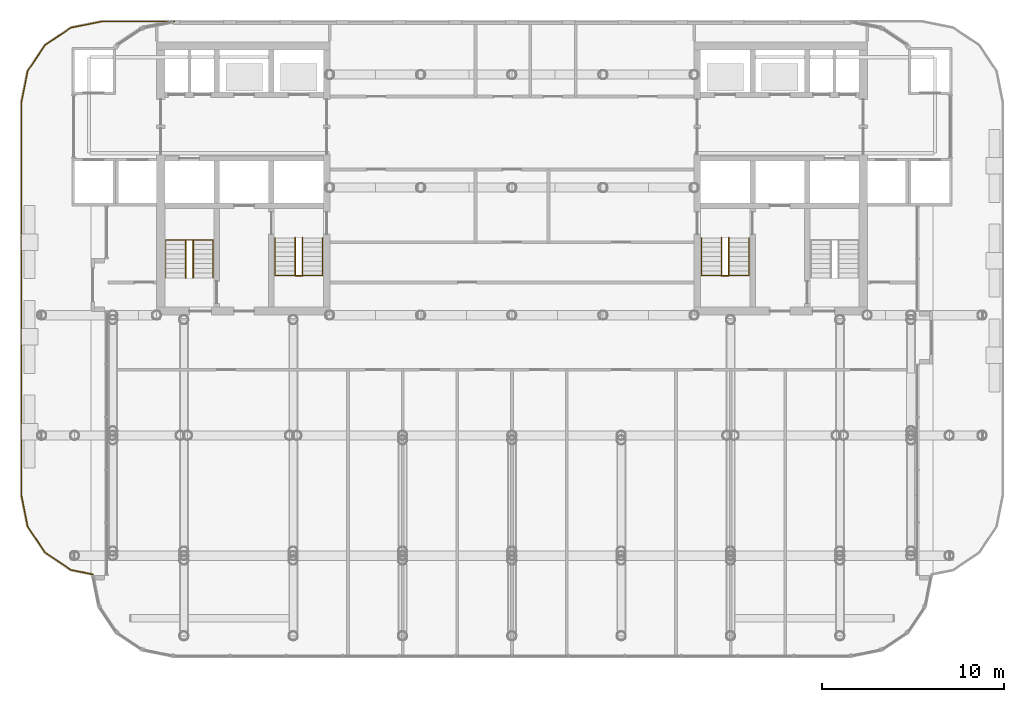
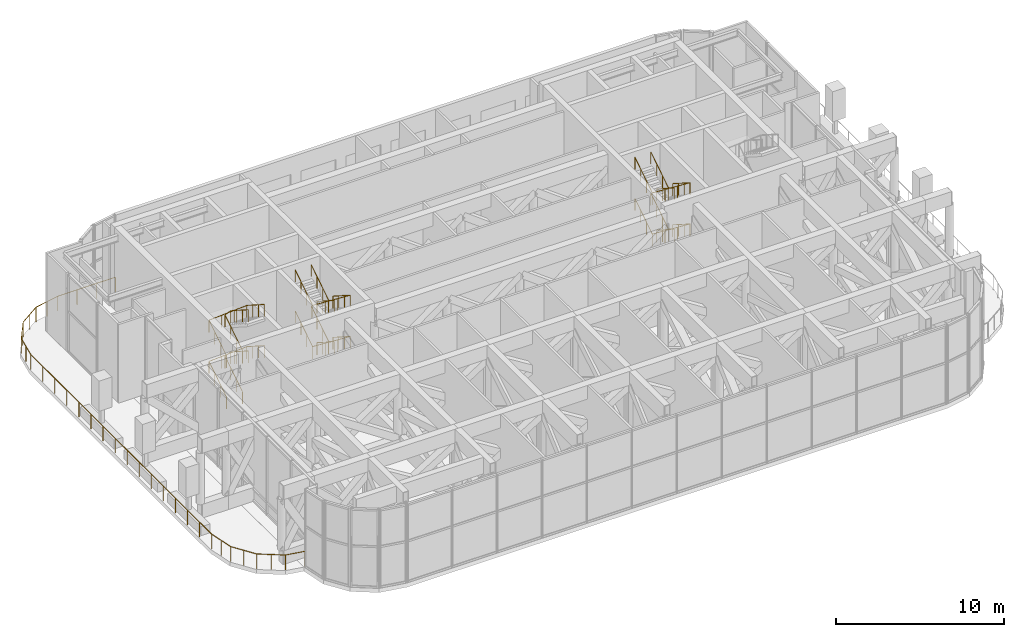
# One storey, part 18 of 21: 13 railings.
"""IFC4 building model written with IfcOpenShell, lengths in metres."""

from ifc_helpers import new_model, si_unit, direction, frame, origin, origin_2d, place, context, subcontext, project, spatial, circle, extrude, material, type_object, element, save


model = new_model("IFC4")

# Units and contexts
model_context = context("Model", 3, precision=1e-05, world=origin(), true_north=direction((0.0, 1.0)))
body_context = subcontext(model_context, "Body", "Model", "MODEL_VIEW")
ifc_project = project(units=[si_unit("LENGTHUNIT", "METRE"), si_unit("AREAUNIT", "SQUARE_METRE"), si_unit("VOLUMEUNIT", "CUBIC_METRE"), si_unit("PLANEANGLEUNIT", "RADIAN"), si_unit("MASSUNIT", "GRAM", prefix="KILO")], contexts=[model_context])

# Site, building, storey
site_placement = place(None, origin())
site = spatial("IfcSite", under=ifc_project, at=site_placement, CompositionType="ELEMENT")
building_placement = place(site_placement, origin())
building = spatial("IfcBuilding", under=site, at=building_placement, Name="Torana Hotel and Residences", CompositionType="ELEMENT")
storey_placement = place(building_placement, frame((0.0, 0.0, 246.60009765625)))
storey = spatial("IfcBuildingStorey", under=building, at=storey_placement, Name="L65", CompositionType="ELEMENT", Elevation=246.60009765625)

# Railings
ifc_material_1 = material(Name="Laminated glass balustrade with black handrail", Category="glass")
railing_type_1 = type_object("IfcRailingType", Name="GR1 BALCONY GUARD 1100 GLASS", PredefinedType="GUARDRAIL", material=ifc_material_1)
railing_1_placement = place(storey_placement, frame((-23.0068359375, -29.217529296875, 0.0)))
element("IfcRailing", 1, at=railing_1_placement, inside=storey, type_object=railing_type_1, Name="Terrace guard L65 2", PredefinedType="GUARDRAIL", context=body_context, shape_type="SweptSolid", body=[
    extrude(circle(Radius=0.02392578125, at=origin_2d()), frame((0.0, 0.0, 1.076171875), z_axis=(-0.980813323397, 0.194949287372, 0.0), x_axis=(-0.194949287372, -0.980813323397, 0.0)), (0.0, 0.0, 1.0), 1.207275390625),
    extrude(circle(Radius=0.02392578125, at=origin_2d()), frame((-1.18408203125, 0.2353515625, 1.076171875), z_axis=(-0.831461551283, 0.555582296999, 0.0), x_axis=(-0.555582296999, -0.831461551283, 0.0)), (0.0, 0.0, 1.0), 1.723876953125),
    extrude(circle(Radius=0.02392578125, at=origin_2d()), frame((-2.617431640625, 1.193115234375, 1.076171875), z_axis=(-0.555516881458, 0.831505258201, 0.0), x_axis=(-0.831505258201, -0.555516881458, 0.0)), (0.0, 0.0, 1.0), 1.72412109375),
    extrude(circle(Radius=0.02392578125, at=origin_2d()), frame((-3.5751953125, 2.626708984375, 1.076171875), z_axis=(-0.195085948833, 0.980786150273, 0.0), x_axis=(-0.980786150273, -0.195085948833, 0.0)), (0.0, 0.0, 1.0), 1.73193359375),
    extrude(circle(Radius=0.02392578125, at=origin_2d()), frame((-3.9130859375, 4.325439453125, 1.076171875), z_axis=(0.0, 1.0, 0.0), x_axis=(-1.0, 0.0, 0.0)), (0.0, 0.0, 1.0), 21.584228515625),
    extrude(circle(Radius=0.02392578125, at=origin_2d()), frame((-3.9130859375, 25.90966796875, 1.076171875), z_axis=(0.195085948833, 0.980786150273, 0.0), x_axis=(-0.980786150273, 0.195085948833, 0.0)), (0.0, 0.0, 1.0), 1.73193359375),
    extrude(circle(Radius=0.02392578125, at=origin_2d()), frame((-3.5751953125, 27.6083984375, 1.076171875), z_axis=(0.555582296999, 0.831461551283, 0.0), x_axis=(-0.831461551283, 0.555582296999, 0.0)), (0.0, 0.0, 1.0), 1.723876953125),
    extrude(circle(Radius=0.02392578125, at=origin_2d()), frame((-2.617431640625, 29.041748046875, 1.076171875), z_axis=(0.831461551283, 0.555582296999, 0.0), x_axis=(-0.555582296999, 0.831461551283, 0.0)), (0.0, 0.0, 1.0), 1.723876953125),
    extrude(circle(Radius=0.02392578125, at=origin_2d()), frame((-1.18408203125, 29.99951171875, 1.076171875), z_axis=(0.980759171067, 0.195221536638, 0.0), x_axis=(-0.195221536638, 0.980759171067, 0.0)), (0.0, 0.0, 1.0), 1.732177734375),
    extrude(circle(Radius=0.02392578125, at=origin_2d()), frame((0.5146484375, 30.337646484375, 1.076171875), z_axis=(1.0, 0.0, 0.0), x_axis=(0.0, 1.0, 0.0)), (0.0, 0.0, 1.0), 3.967041015625),
    extrude(circle(Radius=0.02099609375, at=origin_2d()), origin(), (0.0, 0.0, 1.0), 1.052001953125),
    extrude(circle(Radius=0.02099609375, at=origin_2d()), frame((-1.18408203125, 0.2353515625, 0.0)), (0.0, 0.0, 1.0), 1.052001953125),
    extrude(circle(Radius=0.02099609375, at=origin_2d()), frame((-1.90087890625, 0.71435546875, 0.0)), (0.0, 0.0, 1.0), 1.052001953125),
    extrude(circle(Radius=0.02099609375, at=origin_2d()), frame((-2.617431640625, 1.193115234375, 0.0)), (0.0, 0.0, 1.0), 1.052001953125),
    extrude(circle(Radius=0.02099609375, at=origin_2d()), frame((-3.09619140625, 1.909912109375, 0.0)), (0.0, 0.0, 1.0), 1.052001953125),
    extrude(circle(Radius=0.02099609375, at=origin_2d()), frame((-3.5751953125, 2.626708984375, 0.0)), (0.0, 0.0, 1.0), 1.052001953125),
    extrude(circle(Radius=0.02099609375, at=origin_2d()), frame((-3.744140625, 3.47607421875, 0.0)), (0.0, 0.0, 1.0), 1.052001953125),
    extrude(circle(Radius=0.02099609375, at=origin_2d()), frame((-3.9130859375, 4.325439453125, 0.0)), (0.0, 0.0, 1.0), 1.052001953125),
    extrude(circle(Radius=0.02099609375, at=origin_2d()), frame((-3.9130859375, 5.764404296875, 0.0)), (0.0, 0.0, 1.0), 1.052001953125),
    extrude(circle(Radius=0.02099609375, at=origin_2d()), frame((-3.9130859375, 7.203369140625, 0.0)), (0.0, 0.0, 1.0), 1.052001953125),
    extrude(circle(Radius=0.02099609375, at=origin_2d()), frame((-3.9130859375, 8.642333984375, 0.0)), (0.0, 0.0, 1.0), 1.052001953125),
    extrude(circle(Radius=0.02099609375, at=origin_2d()), frame((-3.9130859375, 10.081298828125, 0.0)), (0.0, 0.0, 1.0), 1.052001953125),
    extrude(circle(Radius=0.02099609375, at=origin_2d()), frame((-3.9130859375, 11.520263671875, 0.0)), (0.0, 0.0, 1.0), 1.052001953125),
    extrude(circle(Radius=0.02099609375, at=origin_2d()), frame((-3.9130859375, 12.959228515625, 0.0)), (0.0, 0.0, 1.0), 1.052001953125),
    extrude(circle(Radius=0.02099609375, at=origin_2d()), frame((-3.9130859375, 14.398193359375, 0.0)), (0.0, 0.0, 1.0), 1.052001953125),
    extrude(circle(Radius=0.02099609375, at=origin_2d()), frame((-3.9130859375, 15.8369140625, 0.0)), (0.0, 0.0, 1.0), 1.052001953125),
    extrude(circle(Radius=0.02099609375, at=origin_2d()), frame((-3.9130859375, 17.27587890625, 0.0)), (0.0, 0.0, 1.0), 1.052001953125),
    extrude(circle(Radius=0.02099609375, at=origin_2d()), frame((-3.9130859375, 18.71484375, 0.0)), (0.0, 0.0, 1.0), 1.052001953125),
    extrude(circle(Radius=0.02099609375, at=origin_2d()), frame((-3.9130859375, 20.15380859375, 0.0)), (0.0, 0.0, 1.0), 1.052001953125),
    extrude(circle(Radius=0.02099609375, at=origin_2d()), frame((-3.9130859375, 21.5927734375, 0.0)), (0.0, 0.0, 1.0), 1.052001953125),
    extrude(circle(Radius=0.02099609375, at=origin_2d()), frame((-3.9130859375, 23.03173828125, 0.0)), (0.0, 0.0, 1.0), 1.052001953125),
    extrude(circle(Radius=0.02099609375, at=origin_2d()), frame((-3.9130859375, 24.470703125, 0.0)), (0.0, 0.0, 1.0), 1.052001953125),
    extrude(circle(Radius=0.02099609375, at=origin_2d()), frame((-3.9130859375, 25.90966796875, 0.0)), (0.0, 0.0, 1.0), 1.052001953125),
    extrude(circle(Radius=0.02099609375, at=origin_2d()), frame((-3.744140625, 26.759033203125, 0.0)), (0.0, 0.0, 1.0), 1.052001953125),
    extrude(circle(Radius=0.02099609375, at=origin_2d()), frame((-3.5751953125, 27.6083984375, 0.0)), (0.0, 0.0, 1.0), 1.052001953125),
    extrude(circle(Radius=0.02099609375, at=origin_2d()), frame((-3.09619140625, 28.3251953125, 0.0)), (0.0, 0.0, 1.0), 1.052001953125),
    extrude(circle(Radius=0.02099609375, at=origin_2d()), frame((-2.617431640625, 29.041748046875, 0.0)), (0.0, 0.0, 1.0), 1.052001953125),
    extrude(circle(Radius=0.02099609375, at=origin_2d()), frame((-1.90087890625, 29.5205078125, 0.0)), (0.0, 0.0, 1.0), 1.052001953125),
    extrude(circle(Radius=0.02099609375, at=origin_2d()), frame((-1.18408203125, 29.99951171875, 0.0)), (0.0, 0.0, 1.0), 1.052001953125),
    extrude(circle(Radius=0.02099609375, at=origin_2d()), frame((-0.334716796875, 30.16845703125, 0.0)), (0.0, 0.0, 1.0), 1.052001953125),
    extrude(circle(Radius=0.02099609375, at=origin_2d()), frame((0.5146484375, 30.337646484375, 0.0)), (0.0, 0.0, 1.0), 1.052001953125),
    extrude(circle(Radius=0.02099609375, at=origin_2d()), frame((1.8369140625, 30.337646484375, 0.0)), (0.0, 0.0, 1.0), 1.052001953125),
    extrude(circle(Radius=0.02099609375, at=origin_2d()), frame((3.159423828125, 30.337646484375, 0.0)), (0.0, 0.0, 1.0), 1.052001953125),
    extrude(circle(Radius=0.02099609375, at=origin_2d()), frame((4.481689453125, 30.337646484375, 0.0)), (0.0, 0.0, 1.0), 1.052001953125),
])
ifc_material_2 = material(Name="Stainless steel 316", Category="steel")
railing_type_2 = type_object("IfcRailingType", Name="STAIR HANDRAIL HR1 900", PredefinedType="HANDRAIL", material=ifc_material_2)
railing_2_placement = place(storey_placement, frame((-10.39990234375, -10.75, 0.16650390625)))
element("IfcRailing", 2, at=railing_2_placement, inside=storey, type_object=railing_type_2, Name="Handrail ST1 L65 O1", PredefinedType="HANDRAIL", context=body_context, shape_type="SweptSolid", body=[
    extrude(circle(Radius=0.02392578125, at=origin_2d()), frame((0.0, 0.0, 0.8759765625), z_axis=(0.0, -0.841858418701, 0.539698436965), x_axis=(1.0, 0.0, 0.0)), (0.0, 0.0, 1.0), 2.470703125),
    extrude(circle(Radius=0.02392578125, at=origin_2d()), frame((0.0, -2.080078125, 2.20947265625), z_axis=(-0.997955880303, 0.0, 0.06390665825), x_axis=(0.0, -1.0, 0.0)), (0.0, 0.0, 1.0), 2.60546875),
    extrude(circle(Radius=0.02392578125, at=origin_2d()), frame((-2.60009765625, -2.080078125, 2.3759765625), z_axis=(0.0, 0.841858418701, 0.539698436965), x_axis=(-1.0, 0.0, 0.0)), (0.0, 0.0, 1.0), 2.470703125),
    extrude(circle(Radius=0.02099609375, at=origin_2d()), origin(), (0.0, 0.0, 1.0), 0.851806640625),
    extrude(circle(Radius=0.02099609375, at=origin_2d()), frame((0.0, -0.693359375, 0.444580078125)), (0.0, 0.0, 1.0), 0.851806640625),
    extrude(circle(Radius=0.02099609375, at=origin_2d()), frame((0.0, -1.38671875, 0.888916015625)), (0.0, 0.0, 1.0), 0.851806640625),
    extrude(circle(Radius=0.02099609375, at=origin_2d()), frame((0.0, -2.080078125, 1.33349609375)), (0.0, 0.0, 1.0), 0.851806640625),
    extrude(circle(Radius=0.02099609375, at=origin_2d()), frame((-0.86669921875, -2.080078125, 1.388916015625)), (0.0, 0.0, 1.0), 0.851806640625),
    extrude(circle(Radius=0.02099609375, at=origin_2d()), frame((-1.7333984375, -2.080078125, 1.444580078125)), (0.0, 0.0, 1.0), 0.851806640625),
    extrude(circle(Radius=0.02099609375, at=origin_2d()), frame((-2.60009765625, -2.080078125, 1.5)), (0.0, 0.0, 1.0), 0.851806640625),
    extrude(circle(Radius=0.02099609375, at=origin_2d()), frame((-2.60009765625, -1.38671875, 1.944580078125)), (0.0, 0.0, 1.0), 0.851806640625),
    extrude(circle(Radius=0.02099609375, at=origin_2d()), frame((-2.60009765625, -0.693359375, 2.388916015625)), (0.0, 0.0, 1.0), 0.851806640625),
    extrude(circle(Radius=0.02099609375, at=origin_2d()), frame((-2.60009765625, 0.0, 2.83349609375)), (0.0, 0.0, 1.0), 0.851806640625),
])
railing_3_placement = place(storey_placement, frame((-11.5, -10.75, 0.16650390625)))
element("IfcRailing", 3, at=railing_3_placement, inside=storey, type_object=railing_type_2, Name="Handrail ST1 L65 I1", PredefinedType="HANDRAIL", context=body_context, shape_type="SweptSolid", body=[
    extrude(circle(Radius=0.02392578125, at=origin_2d()), frame((0.0, 0.0, 0.8759765625), z_axis=(0.0, -0.841858418701, 0.539698436965), x_axis=(1.0, 0.0, 0.0)), (0.0, 0.0, 1.0), 2.470703125),
    extrude(circle(Radius=0.02392578125, at=origin_2d()), frame((0.0, -2.080078125, 2.20947265625), z_axis=(-0.9231769392, 0.0, 0.384375257957), x_axis=(0.0, -1.0, 0.0)), (0.0, 0.0, 1.0), 0.43310546875),
    extrude(circle(Radius=0.02392578125, at=origin_2d()), frame((-0.39990234375, -2.080078125, 2.3759765625), z_axis=(0.0, 0.841858418701, 0.539698436965), x_axis=(-1.0, 0.0, 0.0)), (0.0, 0.0, 1.0), 2.470703125),
    extrude(circle(Radius=0.02099609375, at=origin_2d()), origin(), (0.0, 0.0, 1.0), 0.851806640625),
    extrude(circle(Radius=0.02099609375, at=origin_2d()), frame((0.0, -0.693359375, 0.444580078125)), (0.0, 0.0, 1.0), 0.851806640625),
    extrude(circle(Radius=0.02099609375, at=origin_2d()), frame((0.0, -1.38671875, 0.888916015625)), (0.0, 0.0, 1.0), 0.851806640625),
    extrude(circle(Radius=0.02099609375, at=origin_2d()), frame((0.0, -2.080078125, 1.33349609375)), (0.0, 0.0, 1.0), 0.851806640625),
    extrude(circle(Radius=0.02099609375, at=origin_2d()), frame((-0.39990234375, -2.080078125, 1.5)), (0.0, 0.0, 1.0), 0.851806640625),
    extrude(circle(Radius=0.02099609375, at=origin_2d()), frame((-0.39990234375, -1.38671875, 1.944580078125)), (0.0, 0.0, 1.0), 0.851806640625),
    extrude(circle(Radius=0.02099609375, at=origin_2d()), frame((-0.39990234375, -0.693359375, 2.388916015625)), (0.0, 0.0, 1.0), 0.851806640625),
    extrude(circle(Radius=0.02099609375, at=origin_2d()), frame((-0.39990234375, 0.0, 2.83349609375)), (0.0, 0.0, 1.0), 0.851806640625),
])
railing_4_placement = place(storey_placement, frame((-10.39990234375, -10.75, 3.16650390625)))
element("IfcRailing", 4, at=railing_4_placement, inside=storey, type_object=railing_type_2, Name="Handrail ST1 L65 O2", PredefinedType="HANDRAIL", context=body_context, shape_type="SweptSolid", body=[
    extrude(circle(Radius=0.02392578125, at=origin_2d()), frame((0.0, 0.0, 0.8759765625), z_axis=(0.0, -0.841858418701, 0.539698436965), x_axis=(1.0, 0.0, 0.0)), (0.0, 0.0, 1.0), 2.470703125),
    extrude(circle(Radius=0.02392578125, at=origin_2d()), frame((0.0, -2.080078125, 2.20947265625), z_axis=(-0.997955880303, 0.0, 0.06390665825), x_axis=(0.0, -1.0, 0.0)), (0.0, 0.0, 1.0), 2.60546875),
    extrude(circle(Radius=0.02392578125, at=origin_2d()), frame((-2.60009765625, -2.080078125, 2.3759765625), z_axis=(0.0, 0.841858418701, 0.539698436965), x_axis=(-1.0, 0.0, 0.0)), (0.0, 0.0, 1.0), 2.470703125),
    extrude(circle(Radius=0.02099609375, at=origin_2d()), origin(), (0.0, 0.0, 1.0), 0.851806640625),
    extrude(circle(Radius=0.02099609375, at=origin_2d()), frame((0.0, -0.693359375, 0.444580078125)), (0.0, 0.0, 1.0), 0.851806640625),
    extrude(circle(Radius=0.02099609375, at=origin_2d()), frame((0.0, -1.38671875, 0.888916015625)), (0.0, 0.0, 1.0), 0.851806640625),
    extrude(circle(Radius=0.02099609375, at=origin_2d()), frame((0.0, -2.080078125, 1.33349609375)), (0.0, 0.0, 1.0), 0.851806640625),
    extrude(circle(Radius=0.02099609375, at=origin_2d()), frame((-0.86669921875, -2.080078125, 1.388916015625)), (0.0, 0.0, 1.0), 0.851806640625),
    extrude(circle(Radius=0.02099609375, at=origin_2d()), frame((-1.7333984375, -2.080078125, 1.444580078125)), (0.0, 0.0, 1.0), 0.851806640625),
    extrude(circle(Radius=0.02099609375, at=origin_2d()), frame((-2.60009765625, -2.080078125, 1.5)), (0.0, 0.0, 1.0), 0.851806640625),
    extrude(circle(Radius=0.02099609375, at=origin_2d()), frame((-2.60009765625, -1.38671875, 1.944580078125)), (0.0, 0.0, 1.0), 0.851806640625),
    extrude(circle(Radius=0.02099609375, at=origin_2d()), frame((-2.60009765625, -0.693359375, 2.388916015625)), (0.0, 0.0, 1.0), 0.851806640625),
    extrude(circle(Radius=0.02099609375, at=origin_2d()), frame((-2.60009765625, 0.0, 2.83349609375)), (0.0, 0.0, 1.0), 0.851806640625),
])
railing_5_placement = place(storey_placement, frame((-11.5, -10.75, 3.16650390625)))
element("IfcRailing", 5, at=railing_5_placement, inside=storey, type_object=railing_type_2, Name="Handrail ST1 L65 I2", PredefinedType="HANDRAIL", context=body_context, shape_type="SweptSolid", body=[
    extrude(circle(Radius=0.02392578125, at=origin_2d()), frame((0.0, 0.0, 0.8759765625), z_axis=(0.0, -0.841858418701, 0.539698436965), x_axis=(1.0, 0.0, 0.0)), (0.0, 0.0, 1.0), 2.470703125),
    extrude(circle(Radius=0.02392578125, at=origin_2d()), frame((0.0, -2.080078125, 2.20947265625), z_axis=(-0.9231769392, 0.0, 0.384375257957), x_axis=(0.0, -1.0, 0.0)), (0.0, 0.0, 1.0), 0.43310546875),
    extrude(circle(Radius=0.02392578125, at=origin_2d()), frame((-0.39990234375, -2.080078125, 2.3759765625), z_axis=(0.0, 0.841858418701, 0.539698436965), x_axis=(-1.0, 0.0, 0.0)), (0.0, 0.0, 1.0), 2.470703125),
    extrude(circle(Radius=0.02099609375, at=origin_2d()), origin(), (0.0, 0.0, 1.0), 0.851806640625),
    extrude(circle(Radius=0.02099609375, at=origin_2d()), frame((0.0, -0.693359375, 0.444580078125)), (0.0, 0.0, 1.0), 0.851806640625),
    extrude(circle(Radius=0.02099609375, at=origin_2d()), frame((0.0, -1.38671875, 0.888916015625)), (0.0, 0.0, 1.0), 0.851806640625),
    extrude(circle(Radius=0.02099609375, at=origin_2d()), frame((0.0, -2.080078125, 1.33349609375)), (0.0, 0.0, 1.0), 0.851806640625),
    extrude(circle(Radius=0.02099609375, at=origin_2d()), frame((-0.39990234375, -2.080078125, 1.5)), (0.0, 0.0, 1.0), 0.851806640625),
    extrude(circle(Radius=0.02099609375, at=origin_2d()), frame((-0.39990234375, -1.38671875, 1.944580078125)), (0.0, 0.0, 1.0), 0.851806640625),
    extrude(circle(Radius=0.02099609375, at=origin_2d()), frame((-0.39990234375, -0.693359375, 2.388916015625)), (0.0, 0.0, 1.0), 0.851806640625),
    extrude(circle(Radius=0.02099609375, at=origin_2d()), frame((-0.39990234375, 0.0, 2.83349609375)), (0.0, 0.0, 1.0), 0.851806640625),
])
railing_6_placement = place(storey_placement, frame((-19.0, -12.949951171875, 0.16650390625)))
element("IfcRailing", 6, at=railing_6_placement, inside=storey, type_object=railing_type_2, Name="Handrail ST2 L65 O1", PredefinedType="HANDRAIL", context=body_context, shape_type="SweptSolid", body=[
    extrude(circle(Radius=0.02392578125, at=origin_2d()), frame((0.0, 0.0, 0.8759765625), z_axis=(0.0, 0.841829634381, 0.539743334075), x_axis=(-1.0, 0.0, 0.0)), (0.0, 0.0, 1.0), 2.470703125),
    extrude(circle(Radius=0.02392578125, at=origin_2d()), frame((0.0, 2.079833984375, 2.20947265625), z_axis=(0.997955880303, 0.0, 0.06390665825), x_axis=(0.0, 1.0, 0.0)), (0.0, 0.0, 1.0), 2.60546875),
    extrude(circle(Radius=0.02392578125, at=origin_2d()), frame((2.60009765625, 2.079833984375, 2.3759765625), z_axis=(0.0, -0.841829634381, 0.539743334075), x_axis=(1.0, 0.0, 0.0)), (0.0, 0.0, 1.0), 2.470703125),
    extrude(circle(Radius=0.02099609375, at=origin_2d()), origin(), (0.0, 0.0, 1.0), 0.851806640625),
    extrude(circle(Radius=0.02099609375, at=origin_2d()), frame((0.0, 0.693359375, 0.444580078125)), (0.0, 0.0, 1.0), 0.851806640625),
    extrude(circle(Radius=0.02099609375, at=origin_2d()), frame((0.0, 1.386474609375, 0.888916015625)), (0.0, 0.0, 1.0), 0.851806640625),
    extrude(circle(Radius=0.02099609375, at=origin_2d()), frame((0.0, 2.079833984375, 1.33349609375)), (0.0, 0.0, 1.0), 0.851806640625),
    extrude(circle(Radius=0.02099609375, at=origin_2d()), frame((0.86669921875, 2.079833984375, 1.388916015625)), (0.0, 0.0, 1.0), 0.851806640625),
    extrude(circle(Radius=0.02099609375, at=origin_2d()), frame((1.7333984375, 2.079833984375, 1.444580078125)), (0.0, 0.0, 1.0), 0.851806640625),
    extrude(circle(Radius=0.02099609375, at=origin_2d()), frame((2.60009765625, 2.079833984375, 1.5)), (0.0, 0.0, 1.0), 0.851806640625),
    extrude(circle(Radius=0.02099609375, at=origin_2d()), frame((2.60009765625, 1.386474609375, 1.944580078125)), (0.0, 0.0, 1.0), 0.851806640625),
    extrude(circle(Radius=0.02099609375, at=origin_2d()), frame((2.60009765625, 0.693359375, 2.388916015625)), (0.0, 0.0, 1.0), 0.851806640625),
    extrude(circle(Radius=0.02099609375, at=origin_2d()), frame((2.60009765625, 0.0, 2.83349609375)), (0.0, 0.0, 1.0), 0.851806640625),
])
railing_7_placement = place(storey_placement, frame((-17.89990234375, -12.949951171875, 0.16650390625)))
element("IfcRailing", 7, at=railing_7_placement, inside=storey, type_object=railing_type_2, Name="Handrail ST2 L65 I1", PredefinedType="HANDRAIL", context=body_context, shape_type="SweptSolid", body=[
    extrude(circle(Radius=0.02392578125, at=origin_2d()), frame((0.0, 0.0, 0.8759765625), z_axis=(0.0, 0.841829634381, 0.539743334075), x_axis=(-1.0, 0.0, 0.0)), (0.0, 0.0, 1.0), 2.470703125),
    extrude(circle(Radius=0.02392578125, at=origin_2d()), frame((0.0, 2.079833984375, 2.20947265625), z_axis=(0.9231769392, 0.0, 0.384375257957), x_axis=(0.0, 1.0, 0.0)), (0.0, 0.0, 1.0), 0.43310546875),
    extrude(circle(Radius=0.02392578125, at=origin_2d()), frame((0.39990234375, 2.079833984375, 2.3759765625), z_axis=(0.0, -0.841829634381, 0.539743334075), x_axis=(1.0, 0.0, 0.0)), (0.0, 0.0, 1.0), 2.470703125),
    extrude(circle(Radius=0.02099609375, at=origin_2d()), origin(), (0.0, 0.0, 1.0), 0.851806640625),
    extrude(circle(Radius=0.02099609375, at=origin_2d()), frame((0.0, 0.693359375, 0.444580078125)), (0.0, 0.0, 1.0), 0.851806640625),
    extrude(circle(Radius=0.02099609375, at=origin_2d()), frame((0.0, 1.386474609375, 0.888916015625)), (0.0, 0.0, 1.0), 0.851806640625),
    extrude(circle(Radius=0.02099609375, at=origin_2d()), frame((0.0, 2.079833984375, 1.33349609375)), (0.0, 0.0, 1.0), 0.851806640625),
    extrude(circle(Radius=0.02099609375, at=origin_2d()), frame((0.39990234375, 2.079833984375, 1.5)), (0.0, 0.0, 1.0), 0.851806640625),
    extrude(circle(Radius=0.02099609375, at=origin_2d()), frame((0.39990234375, 1.386474609375, 1.944580078125)), (0.0, 0.0, 1.0), 0.851806640625),
    extrude(circle(Radius=0.02099609375, at=origin_2d()), frame((0.39990234375, 0.693359375, 2.388916015625)), (0.0, 0.0, 1.0), 0.851806640625),
    extrude(circle(Radius=0.02099609375, at=origin_2d()), frame((0.39990234375, 0.0, 2.83349609375)), (0.0, 0.0, 1.0), 0.851806640625),
])
railing_8_placement = place(storey_placement, frame((-19.0, -12.949951171875, 3.16650390625)))
element("IfcRailing", 8, at=railing_8_placement, inside=storey, type_object=railing_type_2, Name="Handrail ST2 L65 O2", PredefinedType="HANDRAIL", context=body_context, shape_type="SweptSolid", body=[
    extrude(circle(Radius=0.02392578125, at=origin_2d()), frame((0.0, 0.0, 0.8759765625), z_axis=(0.0, 0.841829634381, 0.539743334075), x_axis=(-1.0, 0.0, 0.0)), (0.0, 0.0, 1.0), 2.470703125),
    extrude(circle(Radius=0.02392578125, at=origin_2d()), frame((0.0, 2.079833984375, 2.20947265625), z_axis=(0.997955880303, 0.0, 0.06390665825), x_axis=(0.0, 1.0, 0.0)), (0.0, 0.0, 1.0), 2.60546875),
    extrude(circle(Radius=0.02392578125, at=origin_2d()), frame((2.60009765625, 2.079833984375, 2.3759765625), z_axis=(0.0, -0.841829634381, 0.539743334075), x_axis=(1.0, 0.0, 0.0)), (0.0, 0.0, 1.0), 2.470703125),
    extrude(circle(Radius=0.02099609375, at=origin_2d()), origin(), (0.0, 0.0, 1.0), 0.851806640625),
    extrude(circle(Radius=0.02099609375, at=origin_2d()), frame((0.0, 0.693359375, 0.444580078125)), (0.0, 0.0, 1.0), 0.851806640625),
    extrude(circle(Radius=0.02099609375, at=origin_2d()), frame((0.0, 1.386474609375, 0.888916015625)), (0.0, 0.0, 1.0), 0.851806640625),
    extrude(circle(Radius=0.02099609375, at=origin_2d()), frame((0.0, 2.079833984375, 1.33349609375)), (0.0, 0.0, 1.0), 0.851806640625),
    extrude(circle(Radius=0.02099609375, at=origin_2d()), frame((0.86669921875, 2.079833984375, 1.388916015625)), (0.0, 0.0, 1.0), 0.851806640625),
    extrude(circle(Radius=0.02099609375, at=origin_2d()), frame((1.7333984375, 2.079833984375, 1.444580078125)), (0.0, 0.0, 1.0), 0.851806640625),
    extrude(circle(Radius=0.02099609375, at=origin_2d()), frame((2.60009765625, 2.079833984375, 1.5)), (0.0, 0.0, 1.0), 0.851806640625),
    extrude(circle(Radius=0.02099609375, at=origin_2d()), frame((2.60009765625, 1.386474609375, 1.944580078125)), (0.0, 0.0, 1.0), 0.851806640625),
    extrude(circle(Radius=0.02099609375, at=origin_2d()), frame((2.60009765625, 0.693359375, 2.388916015625)), (0.0, 0.0, 1.0), 0.851806640625),
    extrude(circle(Radius=0.02099609375, at=origin_2d()), frame((2.60009765625, 0.0, 2.83349609375)), (0.0, 0.0, 1.0), 0.851806640625),
])
railing_9_placement = place(storey_placement, frame((-17.89990234375, -12.949951171875, 3.16650390625)))
element("IfcRailing", 9, at=railing_9_placement, inside=storey, type_object=railing_type_2, Name="Handrail ST2 L65 I2", PredefinedType="HANDRAIL", context=body_context, shape_type="SweptSolid", body=[
    extrude(circle(Radius=0.02392578125, at=origin_2d()), frame((0.0, 0.0, 0.8759765625), z_axis=(0.0, 0.841829634381, 0.539743334075), x_axis=(-1.0, 0.0, 0.0)), (0.0, 0.0, 1.0), 2.470703125),
    extrude(circle(Radius=0.02392578125, at=origin_2d()), frame((0.0, 2.079833984375, 2.20947265625), z_axis=(0.9231769392, 0.0, 0.384375257957), x_axis=(0.0, 1.0, 0.0)), (0.0, 0.0, 1.0), 0.43310546875),
    extrude(circle(Radius=0.02392578125, at=origin_2d()), frame((0.39990234375, 2.079833984375, 2.3759765625), z_axis=(0.0, -0.841829634381, 0.539743334075), x_axis=(1.0, 0.0, 0.0)), (0.0, 0.0, 1.0), 2.470703125),
    extrude(circle(Radius=0.02099609375, at=origin_2d()), origin(), (0.0, 0.0, 1.0), 0.851806640625),
    extrude(circle(Radius=0.02099609375, at=origin_2d()), frame((0.0, 0.693359375, 0.444580078125)), (0.0, 0.0, 1.0), 0.851806640625),
    extrude(circle(Radius=0.02099609375, at=origin_2d()), frame((0.0, 1.386474609375, 0.888916015625)), (0.0, 0.0, 1.0), 0.851806640625),
    extrude(circle(Radius=0.02099609375, at=origin_2d()), frame((0.0, 2.079833984375, 1.33349609375)), (0.0, 0.0, 1.0), 0.851806640625),
    extrude(circle(Radius=0.02099609375, at=origin_2d()), frame((0.39990234375, 2.079833984375, 1.5)), (0.0, 0.0, 1.0), 0.851806640625),
    extrude(circle(Radius=0.02099609375, at=origin_2d()), frame((0.39990234375, 1.386474609375, 1.944580078125)), (0.0, 0.0, 1.0), 0.851806640625),
    extrude(circle(Radius=0.02099609375, at=origin_2d()), frame((0.39990234375, 0.693359375, 2.388916015625)), (0.0, 0.0, 1.0), 0.851806640625),
    extrude(circle(Radius=0.02099609375, at=origin_2d()), frame((0.39990234375, 0.0, 2.83349609375)), (0.0, 0.0, 1.0), 0.851806640625),
])
railing_10_placement = place(storey_placement, frame((13.0, -10.75, 0.16650390625)))
element("IfcRailing", 10, at=railing_10_placement, inside=storey, type_object=railing_type_2, Name="Handrail ST3 L65 O1", PredefinedType="HANDRAIL", context=body_context, shape_type="SweptSolid", body=[
    extrude(circle(Radius=0.02392578125, at=origin_2d()), frame((0.0, 0.0, 0.8759765625), z_axis=(0.0, -0.841858418701, 0.539698436965), x_axis=(1.0, 0.0, 0.0)), (0.0, 0.0, 1.0), 2.470703125),
    extrude(circle(Radius=0.02392578125, at=origin_2d()), frame((0.0, -2.080078125, 2.20947265625), z_axis=(-0.997955880303, 0.0, 0.06390665825), x_axis=(0.0, -1.0, 0.0)), (0.0, 0.0, 1.0), 2.60546875),
    extrude(circle(Radius=0.02392578125, at=origin_2d()), frame((-2.60009765625, -2.080078125, 2.3759765625), z_axis=(0.0, 0.841858418701, 0.539698436965), x_axis=(-1.0, 0.0, 0.0)), (0.0, 0.0, 1.0), 2.470703125),
    extrude(circle(Radius=0.02099609375, at=origin_2d()), origin(), (0.0, 0.0, 1.0), 0.851806640625),
    extrude(circle(Radius=0.02099609375, at=origin_2d()), frame((0.0, -0.693359375, 0.444580078125)), (0.0, 0.0, 1.0), 0.851806640625),
    extrude(circle(Radius=0.02099609375, at=origin_2d()), frame((0.0, -1.38671875, 0.888916015625)), (0.0, 0.0, 1.0), 0.851806640625),
    extrude(circle(Radius=0.02099609375, at=origin_2d()), frame((0.0, -2.080078125, 1.33349609375)), (0.0, 0.0, 1.0), 0.851806640625),
    extrude(circle(Radius=0.02099609375, at=origin_2d()), frame((-0.86669921875, -2.080078125, 1.388916015625)), (0.0, 0.0, 1.0), 0.851806640625),
    extrude(circle(Radius=0.02099609375, at=origin_2d()), frame((-1.7333984375, -2.080078125, 1.444580078125)), (0.0, 0.0, 1.0), 0.851806640625),
    extrude(circle(Radius=0.02099609375, at=origin_2d()), frame((-2.60009765625, -2.080078125, 1.5)), (0.0, 0.0, 1.0), 0.851806640625),
    extrude(circle(Radius=0.02099609375, at=origin_2d()), frame((-2.60009765625, -1.38671875, 1.944580078125)), (0.0, 0.0, 1.0), 0.851806640625),
    extrude(circle(Radius=0.02099609375, at=origin_2d()), frame((-2.60009765625, -0.693359375, 2.388916015625)), (0.0, 0.0, 1.0), 0.851806640625),
    extrude(circle(Radius=0.02099609375, at=origin_2d()), frame((-2.60009765625, 0.0, 2.83349609375)), (0.0, 0.0, 1.0), 0.851806640625),
])
railing_11_placement = place(storey_placement, frame((11.89990234375, -10.75, 0.16650390625)))
element("IfcRailing", 11, at=railing_11_placement, inside=storey, type_object=railing_type_2, Name="Handrail ST3 L65 I1", PredefinedType="HANDRAIL", context=body_context, shape_type="SweptSolid", body=[
    extrude(circle(Radius=0.02392578125, at=origin_2d()), frame((0.0, 0.0, 0.8759765625), z_axis=(0.0, -0.841858418701, 0.539698436965), x_axis=(1.0, 0.0, 0.0)), (0.0, 0.0, 1.0), 2.470703125),
    extrude(circle(Radius=0.02392578125, at=origin_2d()), frame((0.0, -2.080078125, 2.20947265625), z_axis=(-0.9231769392, 0.0, 0.384375257957), x_axis=(0.0, -1.0, 0.0)), (0.0, 0.0, 1.0), 0.43310546875),
    extrude(circle(Radius=0.02392578125, at=origin_2d()), frame((-0.39990234375, -2.080078125, 2.3759765625), z_axis=(0.0, 0.841858418701, 0.539698436965), x_axis=(-1.0, 0.0, 0.0)), (0.0, 0.0, 1.0), 2.470703125),
    extrude(circle(Radius=0.02099609375, at=origin_2d()), origin(), (0.0, 0.0, 1.0), 0.851806640625),
    extrude(circle(Radius=0.02099609375, at=origin_2d()), frame((0.0, -0.693359375, 0.444580078125)), (0.0, 0.0, 1.0), 0.851806640625),
    extrude(circle(Radius=0.02099609375, at=origin_2d()), frame((0.0, -1.38671875, 0.888916015625)), (0.0, 0.0, 1.0), 0.851806640625),
    extrude(circle(Radius=0.02099609375, at=origin_2d()), frame((0.0, -2.080078125, 1.33349609375)), (0.0, 0.0, 1.0), 0.851806640625),
    extrude(circle(Radius=0.02099609375, at=origin_2d()), frame((-0.39990234375, -2.080078125, 1.5)), (0.0, 0.0, 1.0), 0.851806640625),
    extrude(circle(Radius=0.02099609375, at=origin_2d()), frame((-0.39990234375, -1.38671875, 1.944580078125)), (0.0, 0.0, 1.0), 0.851806640625),
    extrude(circle(Radius=0.02099609375, at=origin_2d()), frame((-0.39990234375, -0.693359375, 2.388916015625)), (0.0, 0.0, 1.0), 0.851806640625),
    extrude(circle(Radius=0.02099609375, at=origin_2d()), frame((-0.39990234375, 0.0, 2.83349609375)), (0.0, 0.0, 1.0), 0.851806640625),
])
railing_12_placement = place(storey_placement, frame((13.0, -10.75, 3.16650390625)))
element("IfcRailing", 12, at=railing_12_placement, inside=storey, type_object=railing_type_2, Name="Handrail ST3 L65 O2", PredefinedType="HANDRAIL", context=body_context, shape_type="SweptSolid", body=[
    extrude(circle(Radius=0.02392578125, at=origin_2d()), frame((0.0, 0.0, 0.8759765625), z_axis=(0.0, -0.841858418701, 0.539698436965), x_axis=(1.0, 0.0, 0.0)), (0.0, 0.0, 1.0), 2.470703125),
    extrude(circle(Radius=0.02392578125, at=origin_2d()), frame((0.0, -2.080078125, 2.20947265625), z_axis=(-0.997955880303, 0.0, 0.06390665825), x_axis=(0.0, -1.0, 0.0)), (0.0, 0.0, 1.0), 2.60546875),
    extrude(circle(Radius=0.02392578125, at=origin_2d()), frame((-2.60009765625, -2.080078125, 2.3759765625), z_axis=(0.0, 0.841858418701, 0.539698436965), x_axis=(-1.0, 0.0, 0.0)), (0.0, 0.0, 1.0), 2.470703125),
    extrude(circle(Radius=0.02099609375, at=origin_2d()), origin(), (0.0, 0.0, 1.0), 0.851806640625),
    extrude(circle(Radius=0.02099609375, at=origin_2d()), frame((0.0, -0.693359375, 0.444580078125)), (0.0, 0.0, 1.0), 0.851806640625),
    extrude(circle(Radius=0.02099609375, at=origin_2d()), frame((0.0, -1.38671875, 0.888916015625)), (0.0, 0.0, 1.0), 0.851806640625),
    extrude(circle(Radius=0.02099609375, at=origin_2d()), frame((0.0, -2.080078125, 1.33349609375)), (0.0, 0.0, 1.0), 0.851806640625),
    extrude(circle(Radius=0.02099609375, at=origin_2d()), frame((-0.86669921875, -2.080078125, 1.388916015625)), (0.0, 0.0, 1.0), 0.851806640625),
    extrude(circle(Radius=0.02099609375, at=origin_2d()), frame((-1.7333984375, -2.080078125, 1.444580078125)), (0.0, 0.0, 1.0), 0.851806640625),
    extrude(circle(Radius=0.02099609375, at=origin_2d()), frame((-2.60009765625, -2.080078125, 1.5)), (0.0, 0.0, 1.0), 0.851806640625),
    extrude(circle(Radius=0.02099609375, at=origin_2d()), frame((-2.60009765625, -1.38671875, 1.944580078125)), (0.0, 0.0, 1.0), 0.851806640625),
    extrude(circle(Radius=0.02099609375, at=origin_2d()), frame((-2.60009765625, -0.693359375, 2.388916015625)), (0.0, 0.0, 1.0), 0.851806640625),
    extrude(circle(Radius=0.02099609375, at=origin_2d()), frame((-2.60009765625, 0.0, 2.83349609375)), (0.0, 0.0, 1.0), 0.851806640625),
])
railing_13_placement = place(storey_placement, frame((11.89990234375, -10.75, 3.16650390625)))
element("IfcRailing", 13, at=railing_13_placement, inside=storey, type_object=railing_type_2, Name="Handrail ST3 L65 I2", PredefinedType="HANDRAIL", context=body_context, shape_type="SweptSolid", body=[
    extrude(circle(Radius=0.02392578125, at=origin_2d()), frame((0.0, 0.0, 0.8759765625), z_axis=(0.0, -0.841858418701, 0.539698436965), x_axis=(1.0, 0.0, 0.0)), (0.0, 0.0, 1.0), 2.470703125),
    extrude(circle(Radius=0.02392578125, at=origin_2d()), frame((0.0, -2.080078125, 2.20947265625), z_axis=(-0.9231769392, 0.0, 0.384375257957), x_axis=(0.0, -1.0, 0.0)), (0.0, 0.0, 1.0), 0.43310546875),
    extrude(circle(Radius=0.02392578125, at=origin_2d()), frame((-0.39990234375, -2.080078125, 2.3759765625), z_axis=(0.0, 0.841858418701, 0.539698436965), x_axis=(-1.0, 0.0, 0.0)), (0.0, 0.0, 1.0), 2.470703125),
    extrude(circle(Radius=0.02099609375, at=origin_2d()), origin(), (0.0, 0.0, 1.0), 0.851806640625),
    extrude(circle(Radius=0.02099609375, at=origin_2d()), frame((0.0, -0.693359375, 0.444580078125)), (0.0, 0.0, 1.0), 0.851806640625),
    extrude(circle(Radius=0.02099609375, at=origin_2d()), frame((0.0, -1.38671875, 0.888916015625)), (0.0, 0.0, 1.0), 0.851806640625),
    extrude(circle(Radius=0.02099609375, at=origin_2d()), frame((0.0, -2.080078125, 1.33349609375)), (0.0, 0.0, 1.0), 0.851806640625),
    extrude(circle(Radius=0.02099609375, at=origin_2d()), frame((-0.39990234375, -2.080078125, 1.5)), (0.0, 0.0, 1.0), 0.851806640625),
    extrude(circle(Radius=0.02099609375, at=origin_2d()), frame((-0.39990234375, -1.38671875, 1.944580078125)), (0.0, 0.0, 1.0), 0.851806640625),
    extrude(circle(Radius=0.02099609375, at=origin_2d()), frame((-0.39990234375, -0.693359375, 2.388916015625)), (0.0, 0.0, 1.0), 0.851806640625),
    extrude(circle(Radius=0.02099609375, at=origin_2d()), frame((-0.39990234375, 0.0, 2.83349609375)), (0.0, 0.0, 1.0), 0.851806640625),
])

save(model, "model.ifc")
